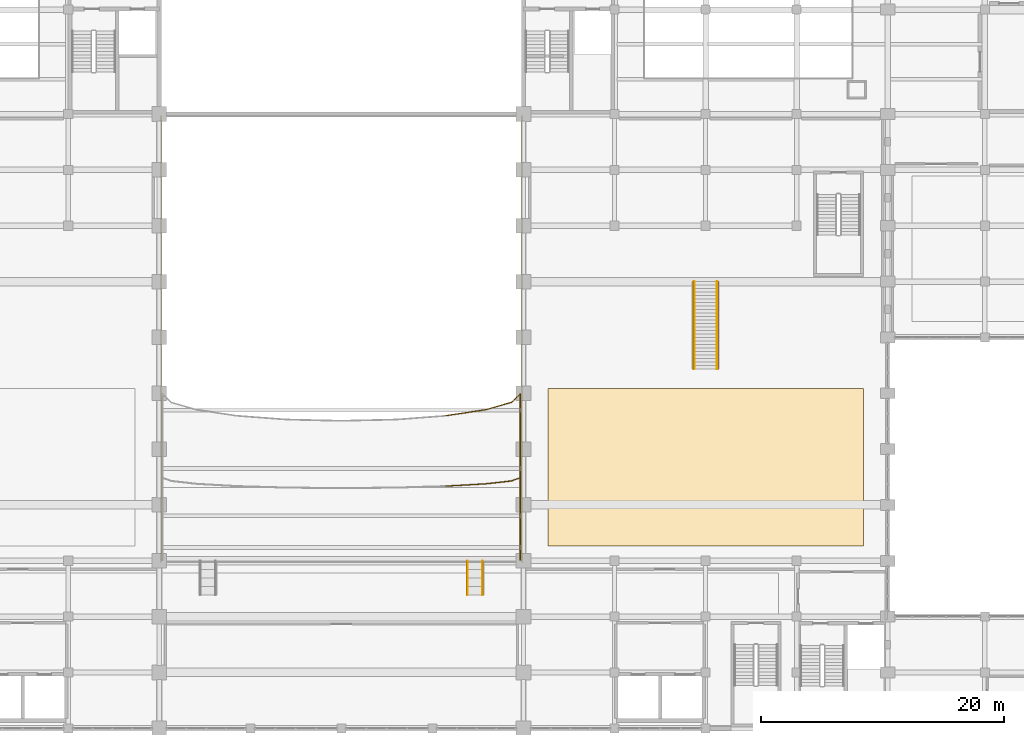
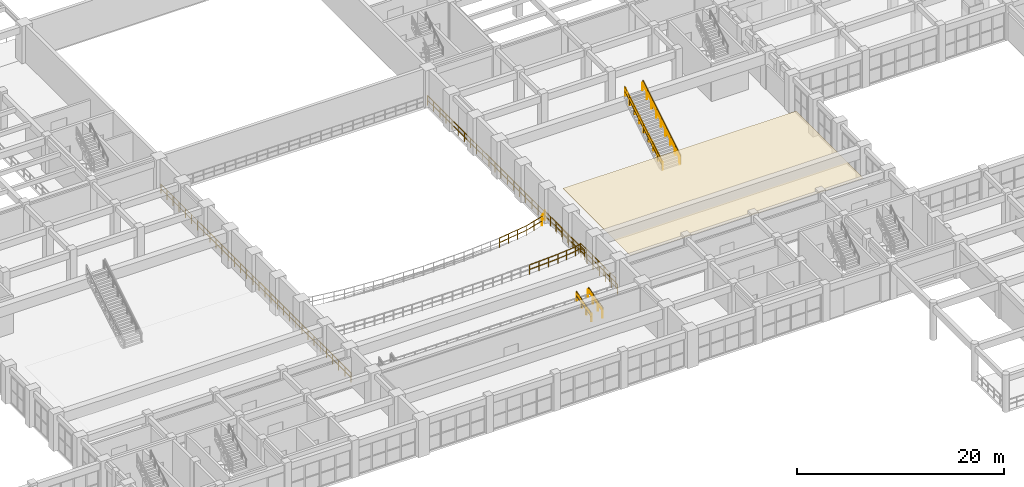
# One storey, part 110 of 116: 18 railings, 1 covering.
"""IFC4 building model written with IfcOpenShell, lengths in metres."""

from ifc_helpers import new_model, si_unit, direction, frame, origin, origin_2d, place, context, subcontext, project, spatial, polyline, circle, outline, extrude, material, layer, layer_set, type_object, element, save


model = new_model("IFC4")

# Units and contexts
model_context = context("Model", 3, precision=1e-05, world=origin(), true_north=direction((0.0, 1.0)))
body_context = subcontext(model_context, "Body", "Model", "MODEL_VIEW")
ifc_project = project(units=[si_unit("LENGTHUNIT", "METRE"), si_unit("AREAUNIT", "SQUARE_METRE"), si_unit("VOLUMEUNIT", "CUBIC_METRE"), si_unit("PLANEANGLEUNIT", "RADIAN"), si_unit("MASSUNIT", "GRAM", prefix="KILO")], contexts=[model_context])

# Site, building, storey
site_placement = place(None, origin())
site = spatial("IfcSite", under=ifc_project, at=site_placement, CompositionType="ELEMENT")
building_placement = place(site_placement, origin())
building = spatial("IfcBuilding", under=site, at=building_placement, Name="Muzn Square Opera House", CompositionType="ELEMENT")
storey_placement = place(building_placement, frame((0.0, 0.0, 5.39990234375)))
storey = spatial("IfcBuildingStorey", under=building, at=storey_placement, Name="L01", CompositionType="ELEMENT", Elevation=5.39990234375)

# Railings
ifc_material_1 = material(Name="Architectural bronze mashrabiya", Category="metal")
railing_type_1 = type_object("IfcRailingType", Name="Bronze Protective Balustrade 1120mm", PredefinedType="BALUSTRADE", material=ifc_material_1)
railing_1_placement = place(storey_placement, frame((102.8701171875, 35.719970703125, 0.0)))
element("IfcRailing", 1, at=railing_1_placement, inside=storey, type_object=railing_type_1, Name="Void Edge Balustrade L01-0010", PredefinedType="BALUSTRADE", context=body_context, shape_type="SweptSolid", body=[
    extrude(circle(Radius=0.02392578125, at=origin_2d()), frame((0.0, 0.0, 1.09619140625), z_axis=(0.0, 1.0, 0.0), x_axis=(-1.0, 0.0, 0.0)), (0.0, 0.0, 1.0), 36.7099609375),
    extrude(circle(Radius=0.02392578125, at=origin_2d()), frame((0.0, 0.0, 0.56005859375), z_axis=(0.0, 1.0, 0.0), x_axis=(-1.0, 0.0, 0.0)), (0.0, 0.0, 1.0), 36.7099609375),
    extrude(circle(Radius=0.02099609375, at=origin_2d()), origin(), (0.0, 0.0, 1.0), 1.072021484375),
    extrude(circle(Radius=0.02099609375, at=origin_2d()), frame((0.0, 1.18408203125, 0.0)), (0.0, 0.0, 1.0), 1.072021484375),
    extrude(circle(Radius=0.02099609375, at=origin_2d()), frame((0.0, 2.368408203125, 0.0)), (0.0, 0.0, 1.0), 1.072021484375),
    extrude(circle(Radius=0.02099609375, at=origin_2d()), frame((0.0, 3.552490234375, 0.0)), (0.0, 0.0, 1.0), 1.072021484375),
    extrude(circle(Radius=0.02099609375, at=origin_2d()), frame((0.0, 4.73681640625, 0.0)), (0.0, 0.0, 1.0), 1.072021484375),
    extrude(circle(Radius=0.02099609375, at=origin_2d()), frame((0.0, 5.9208984375, 0.0)), (0.0, 0.0, 1.0), 1.072021484375),
    extrude(circle(Radius=0.02099609375, at=origin_2d()), frame((0.0, 7.105224609375, 0.0)), (0.0, 0.0, 1.0), 1.072021484375),
    extrude(circle(Radius=0.02099609375, at=origin_2d()), frame((0.0, 8.289306640625, 0.0)), (0.0, 0.0, 1.0), 1.072021484375),
    extrude(circle(Radius=0.02099609375, at=origin_2d()), frame((0.0, 9.4736328125, 0.0)), (0.0, 0.0, 1.0), 1.072021484375),
    extrude(circle(Radius=0.02099609375, at=origin_2d()), frame((0.0, 10.65771484375, 0.0)), (0.0, 0.0, 1.0), 1.072021484375),
    extrude(circle(Radius=0.02099609375, at=origin_2d()), frame((0.0, 11.842041015625, 0.0)), (0.0, 0.0, 1.0), 1.072021484375),
    extrude(circle(Radius=0.02099609375, at=origin_2d()), frame((0.0, 13.026123046875, 0.0)), (0.0, 0.0, 1.0), 1.072021484375),
    extrude(circle(Radius=0.02099609375, at=origin_2d()), frame((0.0, 14.210205078125, 0.0)), (0.0, 0.0, 1.0), 1.072021484375),
    extrude(circle(Radius=0.02099609375, at=origin_2d()), frame((0.0, 15.39453125, 0.0)), (0.0, 0.0, 1.0), 1.072021484375),
    extrude(circle(Radius=0.02099609375, at=origin_2d()), frame((0.0, 16.57861328125, 0.0)), (0.0, 0.0, 1.0), 1.072021484375),
    extrude(circle(Radius=0.02099609375, at=origin_2d()), frame((0.0, 17.762939453125, 0.0)), (0.0, 0.0, 1.0), 1.072021484375),
    extrude(circle(Radius=0.02099609375, at=origin_2d()), frame((0.0, 18.947021484375, 0.0)), (0.0, 0.0, 1.0), 1.072021484375),
    extrude(circle(Radius=0.02099609375, at=origin_2d()), frame((0.0, 20.13134765625, 0.0)), (0.0, 0.0, 1.0), 1.072021484375),
    extrude(circle(Radius=0.02099609375, at=origin_2d()), frame((0.0, 21.3154296875, 0.0)), (0.0, 0.0, 1.0), 1.072021484375),
    extrude(circle(Radius=0.02099609375, at=origin_2d()), frame((0.0, 22.499755859375, 0.0)), (0.0, 0.0, 1.0), 1.072021484375),
    extrude(circle(Radius=0.02099609375, at=origin_2d()), frame((0.0, 23.683837890625, 0.0)), (0.0, 0.0, 1.0), 1.072021484375),
    extrude(circle(Radius=0.02099609375, at=origin_2d()), frame((0.0, 24.867919921875, 0.0)), (0.0, 0.0, 1.0), 1.072021484375),
    extrude(circle(Radius=0.02099609375, at=origin_2d()), frame((0.0, 26.05224609375, 0.0)), (0.0, 0.0, 1.0), 1.072021484375),
    extrude(circle(Radius=0.02099609375, at=origin_2d()), frame((0.0, 27.236328125, 0.0)), (0.0, 0.0, 1.0), 1.072021484375),
    extrude(circle(Radius=0.02099609375, at=origin_2d()), frame((0.0, 28.420654296875, 0.0)), (0.0, 0.0, 1.0), 1.072021484375),
    extrude(circle(Radius=0.02099609375, at=origin_2d()), frame((0.0, 29.604736328125, 0.0)), (0.0, 0.0, 1.0), 1.072021484375),
    extrude(circle(Radius=0.02099609375, at=origin_2d()), frame((0.0, 30.7890625, 0.0)), (0.0, 0.0, 1.0), 1.072021484375),
    extrude(circle(Radius=0.02099609375, at=origin_2d()), frame((0.0, 31.97314453125, 0.0)), (0.0, 0.0, 1.0), 1.072021484375),
    extrude(circle(Radius=0.02099609375, at=origin_2d()), frame((0.0, 33.157470703125, 0.0)), (0.0, 0.0, 1.0), 1.072021484375),
    extrude(circle(Radius=0.02099609375, at=origin_2d()), frame((0.0, 34.341552734375, 0.0)), (0.0, 0.0, 1.0), 1.072021484375),
    extrude(circle(Radius=0.02099609375, at=origin_2d()), frame((0.0, 35.52587890625, 0.0)), (0.0, 0.0, 1.0), 1.072021484375),
    extrude(circle(Radius=0.02099609375, at=origin_2d()), frame((0.0, 36.7099609375, 0.0)), (0.0, 0.0, 1.0), 1.072021484375),
])
railing_2_placement = place(storey_placement, frame((73.1298828125, 72.429931640625, 0.0)))
element("IfcRailing", 2, at=railing_2_placement, inside=storey, type_object=railing_type_1, Name="Void Edge Balustrade L01-0012", PredefinedType="BALUSTRADE", context=body_context, shape_type="SweptSolid", body=[
    extrude(circle(Radius=0.02392578125, at=origin_2d()), frame((0.0, 0.0, 1.09619140625), z_axis=(0.0, -1.0, 0.0), x_axis=(1.0, 0.0, 0.0)), (0.0, 0.0, 1.0), 36.7099609375),
    extrude(circle(Radius=0.02392578125, at=origin_2d()), frame((0.0, 0.0, 0.56005859375), z_axis=(0.0, -1.0, 0.0), x_axis=(1.0, 0.0, 0.0)), (0.0, 0.0, 1.0), 36.7099609375),
    extrude(circle(Radius=0.02099609375, at=origin_2d()), origin(), (0.0, 0.0, 1.0), 1.072021484375),
    extrude(circle(Radius=0.02099609375, at=origin_2d()), frame((0.0, -1.18408203125, 0.0)), (0.0, 0.0, 1.0), 1.072021484375),
    extrude(circle(Radius=0.02099609375, at=origin_2d()), frame((0.0, -2.368408203125, 0.0)), (0.0, 0.0, 1.0), 1.072021484375),
    extrude(circle(Radius=0.02099609375, at=origin_2d()), frame((0.0, -3.552490234375, 0.0)), (0.0, 0.0, 1.0), 1.072021484375),
    extrude(circle(Radius=0.02099609375, at=origin_2d()), frame((0.0, -4.73681640625, 0.0)), (0.0, 0.0, 1.0), 1.072021484375),
    extrude(circle(Radius=0.02099609375, at=origin_2d()), frame((0.0, -5.9208984375, 0.0)), (0.0, 0.0, 1.0), 1.072021484375),
    extrude(circle(Radius=0.02099609375, at=origin_2d()), frame((0.0, -7.105224609375, 0.0)), (0.0, 0.0, 1.0), 1.072021484375),
    extrude(circle(Radius=0.02099609375, at=origin_2d()), frame((0.0, -8.289306640625, 0.0)), (0.0, 0.0, 1.0), 1.072021484375),
    extrude(circle(Radius=0.02099609375, at=origin_2d()), frame((0.0, -9.4736328125, 0.0)), (0.0, 0.0, 1.0), 1.072021484375),
    extrude(circle(Radius=0.02099609375, at=origin_2d()), frame((0.0, -10.65771484375, 0.0)), (0.0, 0.0, 1.0), 1.072021484375),
    extrude(circle(Radius=0.02099609375, at=origin_2d()), frame((0.0, -11.842041015625, 0.0)), (0.0, 0.0, 1.0), 1.072021484375),
    extrude(circle(Radius=0.02099609375, at=origin_2d()), frame((0.0, -13.026123046875, 0.0)), (0.0, 0.0, 1.0), 1.072021484375),
    extrude(circle(Radius=0.02099609375, at=origin_2d()), frame((0.0, -14.210205078125, 0.0)), (0.0, 0.0, 1.0), 1.072021484375),
    extrude(circle(Radius=0.02099609375, at=origin_2d()), frame((0.0, -15.39453125, 0.0)), (0.0, 0.0, 1.0), 1.072021484375),
    extrude(circle(Radius=0.02099609375, at=origin_2d()), frame((0.0, -16.57861328125, 0.0)), (0.0, 0.0, 1.0), 1.072021484375),
    extrude(circle(Radius=0.02099609375, at=origin_2d()), frame((0.0, -17.762939453125, 0.0)), (0.0, 0.0, 1.0), 1.072021484375),
    extrude(circle(Radius=0.02099609375, at=origin_2d()), frame((0.0, -18.947021484375, 0.0)), (0.0, 0.0, 1.0), 1.072021484375),
    extrude(circle(Radius=0.02099609375, at=origin_2d()), frame((0.0, -20.13134765625, 0.0)), (0.0, 0.0, 1.0), 1.072021484375),
    extrude(circle(Radius=0.02099609375, at=origin_2d()), frame((0.0, -21.3154296875, 0.0)), (0.0, 0.0, 1.0), 1.072021484375),
    extrude(circle(Radius=0.02099609375, at=origin_2d()), frame((0.0, -22.499755859375, 0.0)), (0.0, 0.0, 1.0), 1.072021484375),
    extrude(circle(Radius=0.02099609375, at=origin_2d()), frame((0.0, -23.683837890625, 0.0)), (0.0, 0.0, 1.0), 1.072021484375),
    extrude(circle(Radius=0.02099609375, at=origin_2d()), frame((0.0, -24.867919921875, 0.0)), (0.0, 0.0, 1.0), 1.072021484375),
    extrude(circle(Radius=0.02099609375, at=origin_2d()), frame((0.0, -26.05224609375, 0.0)), (0.0, 0.0, 1.0), 1.072021484375),
    extrude(circle(Radius=0.02099609375, at=origin_2d()), frame((0.0, -27.236328125, 0.0)), (0.0, 0.0, 1.0), 1.072021484375),
    extrude(circle(Radius=0.02099609375, at=origin_2d()), frame((0.0, -28.420654296875, 0.0)), (0.0, 0.0, 1.0), 1.072021484375),
    extrude(circle(Radius=0.02099609375, at=origin_2d()), frame((0.0, -29.604736328125, 0.0)), (0.0, 0.0, 1.0), 1.072021484375),
    extrude(circle(Radius=0.02099609375, at=origin_2d()), frame((0.0, -30.7890625, 0.0)), (0.0, 0.0, 1.0), 1.072021484375),
    extrude(circle(Radius=0.02099609375, at=origin_2d()), frame((0.0, -31.97314453125, 0.0)), (0.0, 0.0, 1.0), 1.072021484375),
    extrude(circle(Radius=0.02099609375, at=origin_2d()), frame((0.0, -33.157470703125, 0.0)), (0.0, 0.0, 1.0), 1.072021484375),
    extrude(circle(Radius=0.02099609375, at=origin_2d()), frame((0.0, -34.341552734375, 0.0)), (0.0, 0.0, 1.0), 1.072021484375),
    extrude(circle(Radius=0.02099609375, at=origin_2d()), frame((0.0, -35.52587890625, 0.0)), (0.0, 0.0, 1.0), 1.072021484375),
    extrude(circle(Radius=0.02099609375, at=origin_2d()), frame((0.0, -36.7099609375, 0.0)), (0.0, 0.0, 1.0), 1.072021484375),
])
railing_3_placement = place(storey_placement, frame((102.72998046875, 35.860107421875, 0.72021484375)))
element("IfcRailing", 3, at=railing_3_placement, inside=storey, type_object=railing_type_1, Name="Auditorium Balcony Tier Front Balustrade L01-0095", PredefinedType="BALUSTRADE", context=body_context, shape_type="SweptSolid", body=[
    extrude(circle(Radius=0.02392578125, at=origin_2d()), frame((0.0, 0.0, 1.09619140625), z_axis=(0.0, 1.0, 0.0), x_axis=(-1.0, 0.0, 0.0)), (0.0, 0.0, 1.0), 6.77978515625),
    extrude(circle(Radius=0.02392578125, at=origin_2d()), frame((0.0, 0.0, 0.56005859375), z_axis=(0.0, 1.0, 0.0), x_axis=(-1.0, 0.0, 0.0)), (0.0, 0.0, 1.0), 6.77978515625),
    extrude(circle(Radius=0.02099609375, at=origin_2d()), origin(), (0.0, 0.0, 1.0), 1.072021484375),
    extrude(circle(Radius=0.02099609375, at=origin_2d()), frame((0.0, 1.1298828125, 0.0)), (0.0, 0.0, 1.0), 1.072021484375),
    extrude(circle(Radius=0.02099609375, at=origin_2d()), frame((0.0, 2.260009765625, 0.0)), (0.0, 0.0, 1.0), 1.072021484375),
    extrude(circle(Radius=0.02099609375, at=origin_2d()), frame((0.0, 3.389892578125, 0.0)), (0.0, 0.0, 1.0), 1.072021484375),
    extrude(circle(Radius=0.02099609375, at=origin_2d()), frame((0.0, 4.519775390625, 0.0)), (0.0, 0.0, 1.0), 1.072021484375),
    extrude(circle(Radius=0.02099609375, at=origin_2d()), frame((0.0, 5.64990234375, 0.0)), (0.0, 0.0, 1.0), 1.072021484375),
    extrude(circle(Radius=0.02099609375, at=origin_2d()), frame((0.0, 6.77978515625, 0.0)), (0.0, 0.0, 1.0), 1.072021484375),
])
railing_4_placement = place(storey_placement, frame((102.72998046875, 42.639892578125, 0.72021484375)))
element("IfcRailing", 4, at=railing_4_placement, inside=storey, type_object=railing_type_1, Name="Auditorium Balcony Tier Front Balustrade L01-0096", PredefinedType="BALUSTRADE", context=body_context, shape_type="SweptSolid", body=[
    extrude(circle(Radius=0.02392578125, at=origin_2d()), frame((0.0, 0.0, 1.09619140625), z_axis=(-0.940015382387, -0.341132057824, 0.0), x_axis=(0.341132057824, -0.940015382387, 0.0)), (0.0, 0.0, 1.0), 0.77001953125),
    extrude(circle(Radius=0.02392578125, at=origin_2d()), frame((0.0, 0.0, 0.56005859375), z_axis=(-0.940015382387, -0.341132057824, 0.0), x_axis=(0.341132057824, -0.940015382387, 0.0)), (0.0, 0.0, 1.0), 0.77001953125),
    extrude(circle(Radius=0.02099609375, at=origin_2d()), origin(), (0.0, 0.0, 1.0), 1.072021484375),
    extrude(circle(Radius=0.02099609375, at=origin_2d()), frame((-0.723876953125, -0.2626953125, 0.0)), (0.0, 0.0, 1.0), 1.072021484375),
])
railing_5_placement = place(storey_placement, frame((102.006103515625, 42.377197265625, 0.72021484375)))
element("IfcRailing", 5, at=railing_5_placement, inside=storey, type_object=railing_type_1, Name="Auditorium Balcony Tier Front Balustrade L01-0097", PredefinedType="BALUSTRADE", context=body_context, shape_type="SweptSolid", body=[
    extrude(circle(Radius=0.02392578125, at=origin_2d()), frame((0.0, 0.0, 1.09619140625), z_axis=(-0.99370498589, -0.112028572328, 0.0), x_axis=(0.112028572328, -0.99370498589, 0.0)), (0.0, 0.0, 1.0), 2.114013671875),
    extrude(circle(Radius=0.02392578125, at=origin_2d()), frame((0.0, 0.0, 0.56005859375), z_axis=(-0.99370498589, -0.112028572328, 0.0), x_axis=(0.112028572328, -0.99370498589, 0.0)), (0.0, 0.0, 1.0), 2.114013671875),
    extrude(circle(Radius=0.02099609375, at=origin_2d()), origin(), (0.0, 0.0, 1.0), 1.072021484375),
    extrude(circle(Radius=0.02099609375, at=origin_2d()), frame((-1.05029296875, -0.118408203125, 0.0)), (0.0, 0.0, 1.0), 1.072021484375),
    extrude(circle(Radius=0.02099609375, at=origin_2d()), frame((-2.1005859375, -0.23681640625, 0.0)), (0.0, 0.0, 1.0), 1.072021484375),
])
railing_6_placement = place(storey_placement, frame((99.905517578125, 42.140380859375, 0.72021484375)))
element("IfcRailing", 6, at=railing_6_placement, inside=storey, type_object=railing_type_1, Name="Auditorium Balcony Tier Front Balustrade L01-0098", PredefinedType="BALUSTRADE", context=body_context, shape_type="SweptSolid", body=[
    extrude(circle(Radius=0.02392578125, at=origin_2d()), frame((0.0, 0.0, 1.09619140625), z_axis=(-0.998353832564, -0.057355252636, 0.0), x_axis=(0.057355252636, -0.998353832564, 0.0)), (0.0, 0.0, 1.0), 3.277587890625),
    extrude(circle(Radius=0.02392578125, at=origin_2d()), frame((0.0, 0.0, 0.56005859375), z_axis=(-0.998353832564, -0.057355252636, 0.0), x_axis=(0.057355252636, -0.998353832564, 0.0)), (0.0, 0.0, 1.0), 3.277587890625),
    extrude(circle(Radius=0.02099609375, at=origin_2d()), origin(), (0.0, 0.0, 1.0), 1.072021484375),
    extrude(circle(Radius=0.02099609375, at=origin_2d()), frame((-1.0908203125, -0.062744140625, 0.0)), (0.0, 0.0, 1.0), 1.072021484375),
    extrude(circle(Radius=0.02099609375, at=origin_2d()), frame((-2.181396484375, -0.125244140625, 0.0)), (0.0, 0.0, 1.0), 1.072021484375),
    extrude(circle(Radius=0.02099609375, at=origin_2d()), frame((-3.272216796875, -0.18798828125, 0.0)), (0.0, 0.0, 1.0), 1.072021484375),
])
railing_7_placement = place(storey_placement, frame((102.72998046875, 41.909912109375, 0.360107421875)))
element("IfcRailing", 7, at=railing_7_placement, inside=storey, type_object=railing_type_1, Name="Auditorium Balcony Tier Front Balustrade L01-0107", PredefinedType="BALUSTRADE", context=body_context, shape_type="SweptSolid", body=[
    extrude(circle(Radius=0.02392578125, at=origin_2d()), frame((0.0, 0.0, 1.09619140625), z_axis=(0.0, 1.0, 0.0), x_axis=(-1.0, 0.0, 0.0)), (0.0, 0.0, 1.0), 7.630126953125),
    extrude(circle(Radius=0.02392578125, at=origin_2d()), frame((0.0, 0.0, 0.56005859375), z_axis=(0.0, 1.0, 0.0), x_axis=(-1.0, 0.0, 0.0)), (0.0, 0.0, 1.0), 7.630126953125),
    extrude(circle(Radius=0.02099609375, at=origin_2d()), origin(), (0.0, 0.0, 1.0), 1.072021484375),
    extrude(circle(Radius=0.02099609375, at=origin_2d()), frame((0.0, 1.090087890625, 0.0)), (0.0, 0.0, 1.0), 1.072021484375),
    extrude(circle(Radius=0.02099609375, at=origin_2d()), frame((0.0, 2.179931640625, 0.0)), (0.0, 0.0, 1.0), 1.072021484375),
    extrude(circle(Radius=0.02099609375, at=origin_2d()), frame((0.0, 3.27001953125, 0.0)), (0.0, 0.0, 1.0), 1.072021484375),
    extrude(circle(Radius=0.02099609375, at=origin_2d()), frame((0.0, 4.360107421875, 0.0)), (0.0, 0.0, 1.0), 1.072021484375),
    extrude(circle(Radius=0.02099609375, at=origin_2d()), frame((0.0, 5.4501953125, 0.0)), (0.0, 0.0, 1.0), 1.072021484375),
    extrude(circle(Radius=0.02099609375, at=origin_2d()), frame((0.0, 6.5400390625, 0.0)), (0.0, 0.0, 1.0), 1.072021484375),
    extrude(circle(Radius=0.02099609375, at=origin_2d()), frame((0.0, 7.630126953125, 0.0)), (0.0, 0.0, 1.0), 1.072021484375),
])
railing_8_placement = place(storey_placement, frame((102.72998046875, 49.5400390625, 0.360107421875)))
element("IfcRailing", 8, at=railing_8_placement, inside=storey, type_object=railing_type_1, Name="Auditorium Balcony Tier Front Balustrade L01-0108", PredefinedType="BALUSTRADE", context=body_context, shape_type="SweptSolid", body=[
    extrude(circle(Radius=0.02392578125, at=origin_2d()), frame((0.0, 0.0, 1.09619140625), z_axis=(-0.728885245276, -0.684635888059, 0.0), x_axis=(0.684635888059, -0.728885245276, 0.0)), (0.0, 0.0, 1.0), 0.9931640625),
    extrude(circle(Radius=0.02392578125, at=origin_2d()), frame((0.0, 0.0, 0.56005859375), z_axis=(-0.728885245276, -0.684635888059, 0.0), x_axis=(0.684635888059, -0.728885245276, 0.0)), (0.0, 0.0, 1.0), 0.9931640625),
    extrude(circle(Radius=0.02099609375, at=origin_2d()), origin(), (0.0, 0.0, 1.0), 1.072021484375),
    extrude(circle(Radius=0.02099609375, at=origin_2d()), frame((-0.723876953125, -0.679931640625, 0.0)), (0.0, 0.0, 1.0), 1.072021484375),
])
railing_9_placement = place(storey_placement, frame((102.006103515625, 48.860107421875, 0.360107421875)))
element("IfcRailing", 9, at=railing_9_placement, inside=storey, type_object=railing_type_1, Name="Auditorium Balcony Tier Front Balustrade L01-0109", PredefinedType="BALUSTRADE", context=body_context, shape_type="SweptSolid", body=[
    extrude(circle(Radius=0.02392578125, at=origin_2d()), frame((0.0, 0.0, 1.09619140625), z_axis=(-0.959924992365, -0.280257041007, 0.0), x_axis=(0.280257041007, -0.959924992365, 0.0)), (0.0, 0.0, 1.0), 2.188232421875),
    extrude(circle(Radius=0.02392578125, at=origin_2d()), frame((0.0, 0.0, 0.56005859375), z_axis=(-0.959924992365, -0.280257041007, 0.0), x_axis=(0.280257041007, -0.959924992365, 0.0)), (0.0, 0.0, 1.0), 2.188232421875),
    extrude(circle(Radius=0.02099609375, at=origin_2d()), origin(), (0.0, 0.0, 1.0), 1.072021484375),
    extrude(circle(Radius=0.02099609375, at=origin_2d()), frame((-1.05029296875, -0.306640625, 0.0)), (0.0, 0.0, 1.0), 1.072021484375),
    extrude(circle(Radius=0.02099609375, at=origin_2d()), frame((-2.1005859375, -0.61328125, 0.0)), (0.0, 0.0, 1.0), 1.072021484375),
])
railing_10_placement = place(storey_placement, frame((99.905517578125, 48.246826171875, 0.360107421875)))
element("IfcRailing", 10, at=railing_10_placement, inside=storey, type_object=railing_type_1, Name="Auditorium Balcony Tier Front Balustrade L01-0110", PredefinedType="BALUSTRADE", context=body_context, shape_type="SweptSolid", body=[
    extrude(circle(Radius=0.02392578125, at=origin_2d()), frame((0.0, 0.0, 1.09619140625), z_axis=(-0.989124468436, -0.147080882309, 0.0), x_axis=(0.147080882309, -0.989124468436, 0.0)), (0.0, 0.0, 1.0), 3.30810546875),
    extrude(circle(Radius=0.02392578125, at=origin_2d()), frame((0.0, 0.0, 0.56005859375), z_axis=(-0.989124468436, -0.147080882309, 0.0), x_axis=(0.147080882309, -0.989124468436, 0.0)), (0.0, 0.0, 1.0), 3.30810546875),
    extrude(circle(Radius=0.02099609375, at=origin_2d()), origin(), (0.0, 0.0, 1.0), 1.072021484375),
    extrude(circle(Radius=0.02099609375, at=origin_2d()), frame((-1.0908203125, -0.162109375, 0.0)), (0.0, 0.0, 1.0), 1.072021484375),
    extrude(circle(Radius=0.02099609375, at=origin_2d()), frame((-2.181396484375, -0.324462890625, 0.0)), (0.0, 0.0, 1.0), 1.072021484375),
    extrude(circle(Radius=0.02099609375, at=origin_2d()), frame((-3.272216796875, -0.486572265625, 0.0)), (0.0, 0.0, 1.0), 1.072021484375),
])

# Covering
ifc_material_2 = material(Name="Acoustic walnut timber panelling", Category="wood")
ifc_layer = layer(ifc_material_2, 0.0400390625, Name="Acoustic walnut timber panelling", Category="wood")
ifc_layer_set = layer_set([ifc_layer], Name="Acoustic walnut timber panelling")
covering_type = type_object("IfcCoveringType", Name="Carved Walnut Acoustic Ceiling Cloud", PredefinedType="CEILING", material=ifc_layer_set)
covering_placement = place(storey_placement, frame((0.0, 0.0, 3.0)))
element("IfcCovering", 11, at=covering_placement, inside=storey, type_object=covering_type, Name="East Promenade Acoustic Ceiling Cloud", PredefinedType="CEILING", context=body_context, shape_type="SweptSolid", body=[
    extrude(outline(polyline([(105.0, 37.0), (131.0, 37.0), (131.0, 50.0), (105.0, 50.0), (105.0, 37.0)])), origin(), (0.0, 0.0, 1.0), 0.0400390625),
])

# Railings
ifc_material_3 = material(Name="Brushed stainless steel", Category="metal")
railing_type_2 = type_object("IfcRailingType", Name="Stair Guard Railing 1120mm", PredefinedType="GUARDRAIL", material=ifc_material_3)
for number, where, name in (
    (12, (98.320068359375, 33.0, 0.0), "Vomitory Stair Guard VS-06-L"),
    (13, (99.679931640625, 33.0, 0.0), "Vomitory Stair Guard VS-06-R"),
):
    element("IfcRailing", number, at=place(storey_placement, frame(where)), inside=storey, type_object=railing_type_2, Name=name, PredefinedType="GUARDRAIL", context=body_context, shape_type="SweptSolid", body=[
        extrude(circle(Radius=0.02392578125, at=origin_2d()), frame((0.0, 0.0, 1.09619140625), z_axis=(0.0, 0.968476054717, 0.24910666679), x_axis=(-1.0, 0.0, 0.0)), (0.0, 0.0, 1.0), 2.89111328125),
        extrude(circle(Radius=0.02392578125, at=origin_2d()), frame((0.0, 0.0, 0.56005859375), z_axis=(0.0, 0.968476054717, 0.24910666679), x_axis=(-1.0, 0.0, 0.0)), (0.0, 0.0, 1.0), 2.89111328125),
        extrude(circle(Radius=0.02099609375, at=origin_2d()), origin(), (0.0, 0.0, 1.0), 1.072021484375),
        extrude(circle(Radius=0.02099609375, at=origin_2d()), frame((0.0, 0.933349609375, 0.239990234375)), (0.0, 0.0, 1.0), 1.072021484375),
        extrude(circle(Radius=0.02099609375, at=origin_2d()), frame((0.0, 1.86669921875, 0.480224609375)), (0.0, 0.0, 1.0), 1.072021484375),
        extrude(circle(Radius=0.02099609375, at=origin_2d()), frame((0.0, 2.800048828125, 0.72021484375)), (0.0, 0.0, 1.0), 1.072021484375),
    ])
for number, where, name in (
    (14, (116.97998046875, 51.60009765625, 0.0), "Grand Foyer Stair Guard FS-02-L"),
    (15, (119.02001953125, 51.60009765625, 0.0), "Grand Foyer Stair Guard FS-02-R"),
):
    element("IfcRailing", number, at=place(storey_placement, frame(where)), inside=storey, type_object=railing_type_2, Name=name, PredefinedType="GUARDRAIL", context=body_context, shape_type="SweptSolid", body=[
        extrude(circle(Radius=0.02392578125, at=origin_2d()), frame((0.0, 0.0, 1.09619140625), z_axis=(0.0, 0.853272535843, 0.521465223746), x_axis=(-1.0, 0.0, 0.0)), (0.0, 0.0, 1.0), 8.43798828125),
        extrude(circle(Radius=0.02392578125, at=origin_2d()), frame((0.0, 0.0, 0.56005859375), z_axis=(0.0, 0.853272535843, 0.521465223746), x_axis=(-1.0, 0.0, 0.0)), (0.0, 0.0, 1.0), 8.43798828125),
        extrude(circle(Radius=0.02099609375, at=origin_2d()), origin(), (0.0, 0.0, 1.0), 1.072021484375),
        extrude(circle(Radius=0.02099609375, at=origin_2d()), frame((0.0, 0.89990234375, 0.550048828125)), (0.0, 0.0, 1.0), 1.072021484375),
        extrude(circle(Radius=0.02099609375, at=origin_2d()), frame((0.0, 1.800048828125, 1.10009765625)), (0.0, 0.0, 1.0), 1.072021484375),
        extrude(circle(Radius=0.02099609375, at=origin_2d()), frame((0.0, 2.699951171875, 1.650146484375)), (0.0, 0.0, 1.0), 1.072021484375),
        extrude(circle(Radius=0.02099609375, at=origin_2d()), frame((0.0, 3.60009765625, 2.2001953125)), (0.0, 0.0, 1.0), 1.072021484375),
        extrude(circle(Radius=0.02099609375, at=origin_2d()), frame((0.0, 4.5, 2.75)), (0.0, 0.0, 1.0), 1.072021484375),
        extrude(circle(Radius=0.02099609375, at=origin_2d()), frame((0.0, 5.39990234375, 3.300048828125)), (0.0, 0.0, 1.0), 1.072021484375),
        extrude(circle(Radius=0.02099609375, at=origin_2d()), frame((0.0, 6.300048828125, 3.85009765625)), (0.0, 0.0, 1.0), 1.072021484375),
        extrude(circle(Radius=0.02099609375, at=origin_2d()), frame((0.0, 7.199951171875, 4.400146484375)), (0.0, 0.0, 1.0), 1.072021484375),
    ])
railing_type_3 = type_object("IfcRailingType", Name="Stair Pitch Handrail 900mm", PredefinedType="HANDRAIL", material=ifc_material_3)
for number, where, name in (
    (16, (98.37451171875, 33.0, 0.0), "Vomitory Stair Handrail VS-06-L"),
    (17, (99.62548828125, 33.0, 0.0), "Vomitory Stair Handrail VS-06-R"),
):
    element("IfcRailing", number, at=place(storey_placement, frame(where)), inside=storey, type_object=railing_type_3, Name=name, PredefinedType="HANDRAIL", context=body_context, shape_type="SweptSolid", body=[
        extrude(circle(Radius=0.02392578125, at=origin_2d()), frame((0.0, 0.0, 0.8759765625), z_axis=(0.0, 0.968476054717, 0.24910666679), x_axis=(-1.0, 0.0, 0.0)), (0.0, 0.0, 1.0), 2.89111328125),
        extrude(circle(Radius=0.02099609375, at=origin_2d()), origin(), (0.0, 0.0, 1.0), 0.851806640625),
        extrude(circle(Radius=0.02099609375, at=origin_2d()), frame((0.0, 0.933349609375, 0.239990234375)), (0.0, 0.0, 1.0), 0.851806640625),
        extrude(circle(Radius=0.02099609375, at=origin_2d()), frame((0.0, 1.86669921875, 0.480224609375)), (0.0, 0.0, 1.0), 0.851806640625),
        extrude(circle(Radius=0.02099609375, at=origin_2d()), frame((0.0, 2.800048828125, 0.72021484375)), (0.0, 0.0, 1.0), 0.851806640625),
    ])
for number, where, name in (
    (18, (117.0615234375, 51.60009765625, 0.0), "Grand Foyer Stair Handrail FS-02-L"),
    (19, (118.9384765625, 51.60009765625, 0.0), "Grand Foyer Stair Handrail FS-02-R"),
):
    element("IfcRailing", number, at=place(storey_placement, frame(where)), inside=storey, type_object=railing_type_3, Name=name, PredefinedType="HANDRAIL", context=body_context, shape_type="SweptSolid", body=[
        extrude(circle(Radius=0.02392578125, at=origin_2d()), frame((0.0, 0.0, 0.8759765625), z_axis=(0.0, 0.853272535843, 0.521465223746), x_axis=(-1.0, 0.0, 0.0)), (0.0, 0.0, 1.0), 8.43798828125),
        extrude(circle(Radius=0.02099609375, at=origin_2d()), origin(), (0.0, 0.0, 1.0), 0.851806640625),
        extrude(circle(Radius=0.02099609375, at=origin_2d()), frame((0.0, 0.89990234375, 0.550048828125)), (0.0, 0.0, 1.0), 0.851806640625),
        extrude(circle(Radius=0.02099609375, at=origin_2d()), frame((0.0, 1.800048828125, 1.10009765625)), (0.0, 0.0, 1.0), 0.851806640625),
        extrude(circle(Radius=0.02099609375, at=origin_2d()), frame((0.0, 2.699951171875, 1.650146484375)), (0.0, 0.0, 1.0), 0.851806640625),
        extrude(circle(Radius=0.02099609375, at=origin_2d()), frame((0.0, 3.60009765625, 2.2001953125)), (0.0, 0.0, 1.0), 0.851806640625),
        extrude(circle(Radius=0.02099609375, at=origin_2d()), frame((0.0, 4.5, 2.75)), (0.0, 0.0, 1.0), 0.851806640625),
        extrude(circle(Radius=0.02099609375, at=origin_2d()), frame((0.0, 5.39990234375, 3.300048828125)), (0.0, 0.0, 1.0), 0.851806640625),
        extrude(circle(Radius=0.02099609375, at=origin_2d()), frame((0.0, 6.300048828125, 3.85009765625)), (0.0, 0.0, 1.0), 0.851806640625),
        extrude(circle(Radius=0.02099609375, at=origin_2d()), frame((0.0, 7.199951171875, 4.400146484375)), (0.0, 0.0, 1.0), 0.851806640625),
    ])

save(model, "model.ifc")
